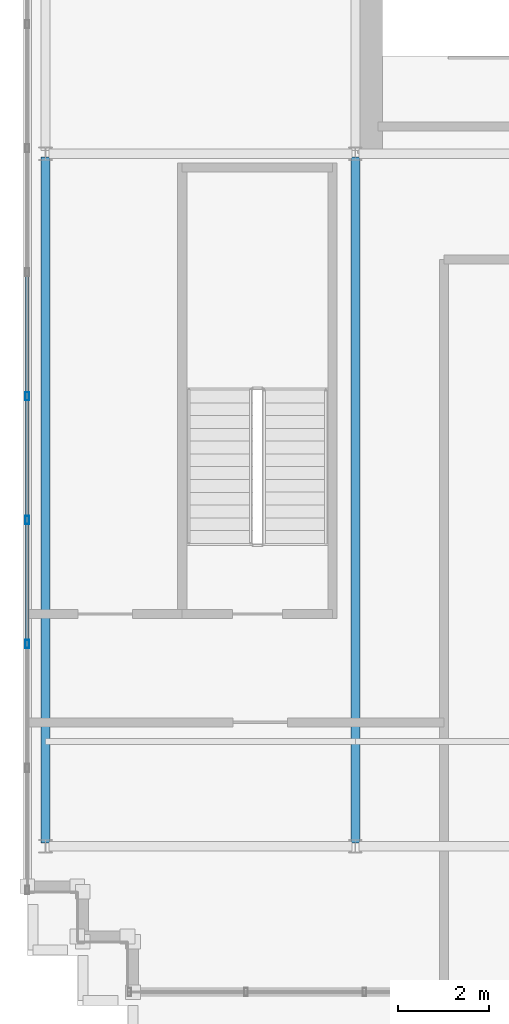
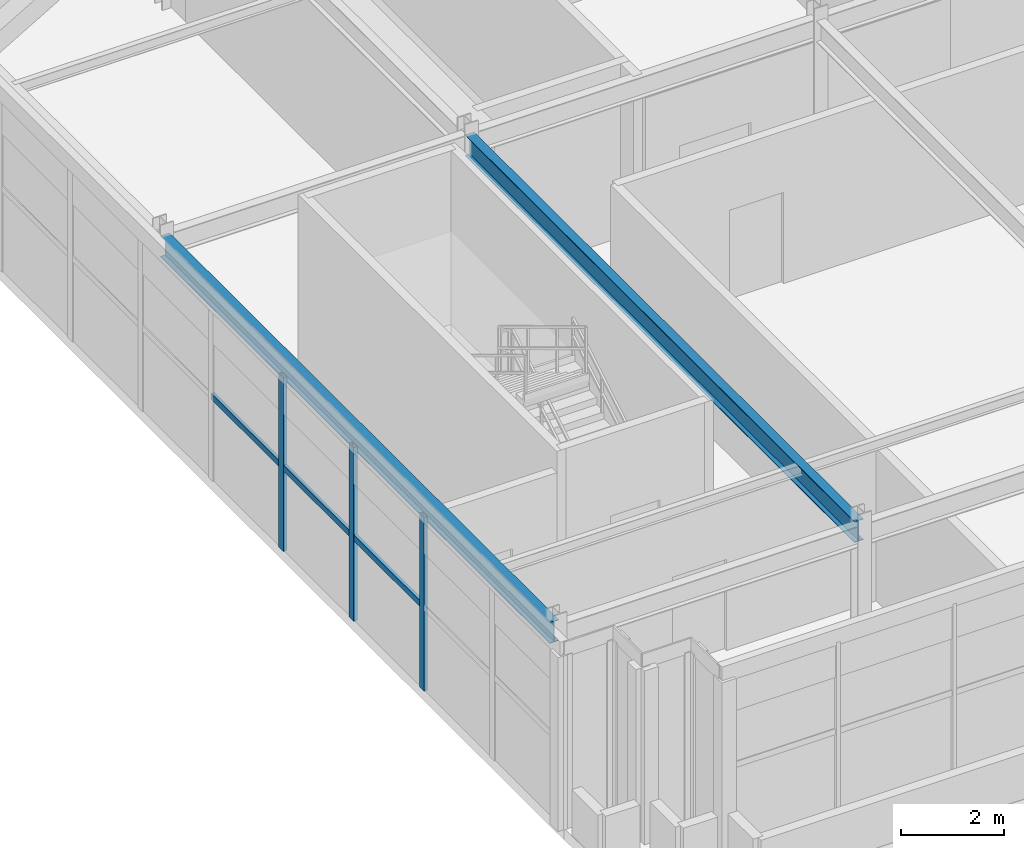
# One storey, part 5 of 37: 6 members, 2 beams, 1 element without a shape of its own.
"""IFC4 building model written with IfcOpenShell, lengths in metres."""

from ifc_helpers import new_model, si_unit, direction, frame, origin, origin_2d, place, context, subcontext, project, spatial, hollow_rectangle, i_section, extrude, source, transform, mapped, material, material_profile, profile_set, type_object, element, aggregate, save


model = new_model("IFC4")

# Units and contexts
model_context = context("Model", 3, precision=1e-05, world=origin(), true_north=direction((0.0, 1.0)))
body_context = subcontext(model_context, "Body", "Model", "MODEL_VIEW")
ifc_project = project(units=[si_unit("LENGTHUNIT", "METRE"), si_unit("AREAUNIT", "SQUARE_METRE"), si_unit("VOLUMEUNIT", "CUBIC_METRE"), si_unit("PLANEANGLEUNIT", "RADIAN"), si_unit("MASSUNIT", "GRAM", prefix="KILO")], contexts=[model_context])

# Site, building, storey
site_placement = place(None, origin())
site = spatial("IfcSite", under=ifc_project, at=site_placement, CompositionType="ELEMENT")
building_placement = place(site_placement, origin())
building = spatial("IfcBuilding", under=site, at=building_placement, Name="Trelvane Seafront Commons", CompositionType="ELEMENT")
storey_placement = place(building_placement, frame((0.0, 0.0, 303.5)))
storey = spatial("IfcBuildingStorey", under=building, at=storey_placement, Name="L79", CompositionType="ELEMENT", Elevation=303.5)

# Beams
ifc_material_1 = material(Name="Steel SM355 (S355)", Category="steel")
ifc_material_profile_1 = material_profile(ifc_material_1, i_section(OverallWidth=0.199951171875, OverallDepth=0.5, WebThickness=0.010009765625, FlangeThickness=0.01611328125, at=origin_2d()), Name="H-500x200x10x16")
ifc_profile_set_1 = profile_set([ifc_material_profile_1], Name="Steel SM355 (S355)")
beam_type = type_object("IfcBeamType", Name="STR-BM-H500", PredefinedType="BEAM", material=ifc_profile_set_1)
shared_shape_1 = source(origin(), body_context, "Body", "SweptSolid", [
    extrude(i_section(OverallWidth=0.199951171875, OverallDepth=0.5, WebThickness=0.010009765625, FlangeThickness=0.01611328125, at=origin_2d()), origin(), (0.0, 0.0, 1.0), 15.050048828125),
])
for number, where, z_axis, x_axis, name in (
    (1, (8.800048828125, 18.27490234375, 3.85009765625), (0.0, 1.0, 0.0), (-1.0, 0.0, 0.0), "L79 Primary Girder G-22"),
    (2, (15.60009765625, 18.27490234375, 3.85009765625), (0.0, 1.0, 0.0), (-1.0, 0.0, 0.0), "L79 Primary Girder G-24"),
):
    element("IfcBeam", number, at=place(storey_placement, frame(where, z_axis=z_axis, x_axis=x_axis)), inside=storey, type_object=beam_type, Name=name, PredefinedType="BEAM", context=body_context, shape_type="MappedRepresentation", body=[
        mapped(shared_shape_1, transform((0.0, 0.0, 0.0), x_axis=(1.0, 0.0, 0.0), y_axis=(0.0, 1.0, 0.0), z_axis=(0.0, 0.0, 1.0), scale=1.0)),
    ])

# Curtain wall, members
ifc_material_2 = material(Name="Anodised pale-silver aluminium", Category="aluminium")
curtain_wall_type = type_object("IfcCurtainWallType", Name="ARCH-CW6-CROWN", PredefinedType="NOTDEFINED", material=ifc_material_2)
curtain_wall_placement = place(storey_placement, origin())
curtain_wall = element("IfcCurtainWall", 3, at=curtain_wall_placement, inside=storey, type_object=curtain_wall_type, Name="CW-L79-0128", PredefinedType="NOTDEFINED")
ifc_material_profile_2 = material_profile(ifc_material_2, hollow_rectangle(XDim=0.080078125, YDim=0.179931640625, WallThickness=0.00439453125, at=origin_2d()), Name="MULL-80x180x4.5")
ifc_profile_set_2 = profile_set([ifc_material_profile_2], Name="Anodised pale-silver aluminium")
member_type_1 = type_object("IfcMemberType", Name="ARCH-CW-MULL-180", PredefinedType="MULLION", material=ifc_profile_set_2)
shared_shape_2 = source(origin(), body_context, "Body", "SweptSolid", [
    extrude(hollow_rectangle(XDim=0.080078125, YDim=0.179931640625, WallThickness=0.00439453125, at=origin_2d()), origin(), (0.0, 0.0, 1.0), 4.10009765625),
])
member_1_placement = place(storey_placement, frame((8.39990234375, 22.639892578125, 0.0), z_axis=(0.0, 0.0, 1.0), x_axis=(1.0, 0.0, 0.0)))
member_1 = element("IfcMember", 4, at=member_1_placement, type_object=member_type_1, Name="CW-L79-0128-M02", PredefinedType="MULLION", context=body_context, shape_type="MappedRepresentation", body=[
    mapped(shared_shape_2, transform((0.0, 0.0, 0.0), x_axis=(1.0, 0.0, 0.0), y_axis=(0.0, 1.0, 0.0), z_axis=(0.0, 0.0, 1.0), scale=1.0)),
])
member_2_placement = place(storey_placement, frame((8.39990234375, 25.360107421875, 0.0), z_axis=(0.0, 0.0, 1.0), x_axis=(1.0, 0.0, 0.0)))
member_2 = element("IfcMember", 5, at=member_2_placement, type_object=member_type_1, Name="CW-L79-0128-M03", PredefinedType="MULLION", context=body_context, shape_type="MappedRepresentation", body=[
    mapped(shared_shape_2, transform((0.0, 0.0, 0.0), x_axis=(1.0, 0.0, 0.0), y_axis=(0.0, 1.0, 0.0), z_axis=(0.0, 0.0, 1.0), scale=1.0)),
])
member_3_placement = place(storey_placement, frame((8.39990234375, 28.080078125, 0.0), z_axis=(0.0, 0.0, 1.0), x_axis=(1.0, 0.0, 0.0)))
member_3 = element("IfcMember", 6, at=member_3_placement, type_object=member_type_1, Name="CW-L79-0128-M04", PredefinedType="MULLION", context=body_context, shape_type="MappedRepresentation", body=[
    mapped(shared_shape_2, transform((0.0, 0.0, 0.0), x_axis=(1.0, 0.0, 0.0), y_axis=(0.0, 1.0, 0.0), z_axis=(0.0, 0.0, 1.0), scale=1.0)),
])
ifc_material_profile_3 = material_profile(ifc_material_2, hollow_rectangle(XDim=0.074951171875, YDim=0.139892578125, WallThickness=0.00390625, at=origin_2d()), Name="TRAN-75x140x4")
ifc_profile_set_3 = profile_set([ifc_material_profile_3], Name="Anodised pale-silver aluminium")
member_type_2 = type_object("IfcMemberType", Name="ARCH-CW-TRAN-140", PredefinedType="USERDEFINED", material=ifc_profile_set_3)
shared_shape_3 = source(origin(), body_context, "Body", "SweptSolid", [
    extrude(hollow_rectangle(XDim=0.074951171875, YDim=0.139892578125, WallThickness=0.00390625, at=origin_2d()), origin(), (0.0, 0.0, 1.0), 2.696044921875),
])
member_4_placement = place(storey_placement, frame((8.39990234375, 25.3720703125, 1.968017578125), z_axis=(0.0, 1.0, 0.0), x_axis=(-1.0, 0.0, 0.0)))
member_4 = element("IfcMember", 7, at=member_4_placement, type_object=member_type_2, Name="CW-L79-0128-T03", ObjectType="TRANSOM", PredefinedType="USERDEFINED", context=body_context, shape_type="MappedRepresentation", body=[
    mapped(shared_shape_3, transform((0.0, 0.0, 0.0), x_axis=(1.0, 0.0, 0.0), y_axis=(0.0, 1.0, 0.0), z_axis=(0.0, 0.0, 1.0), scale=1.0)),
])
member_5_placement = place(storey_placement, frame((8.39990234375, 28.092041015625, 1.968017578125), z_axis=(0.0, 1.0, 0.0), x_axis=(-1.0, 0.0, 0.0)))
member_5 = element("IfcMember", 8, at=member_5_placement, type_object=member_type_2, Name="CW-L79-0128-T04", ObjectType="TRANSOM", PredefinedType="USERDEFINED", context=body_context, shape_type="MappedRepresentation", body=[
    mapped(shared_shape_3, transform((0.0, 0.0, 0.0), x_axis=(1.0, 0.0, 0.0), y_axis=(0.0, 1.0, 0.0), z_axis=(0.0, 0.0, 1.0), scale=1.0)),
])
shared_shape_4 = source(origin(), body_context, "Body", "SweptSolid", [
    extrude(hollow_rectangle(XDim=0.074951171875, YDim=0.139892578125, WallThickness=0.00390625, at=origin_2d()), origin(), (0.0, 0.0, 1.0), 2.69580078125),
])
member_6_placement = place(storey_placement, frame((8.39990234375, 22.652099609375, 1.968017578125), z_axis=(0.0, 1.0, 0.0), x_axis=(-1.0, 0.0, 0.0)))
member_6 = element("IfcMember", 9, at=member_6_placement, type_object=member_type_2, Name="CW-L79-0128-T02", ObjectType="TRANSOM", PredefinedType="USERDEFINED", context=body_context, shape_type="MappedRepresentation", body=[
    mapped(shared_shape_4, transform((0.0, 0.0, 0.0), x_axis=(1.0, 0.0, 0.0), y_axis=(0.0, 1.0, 0.0), z_axis=(0.0, 0.0, 1.0), scale=1.0)),
])
aggregate(curtain_wall, [member_1, member_2, member_3, member_6, member_4, member_5])

save(model, "model.ifc")
